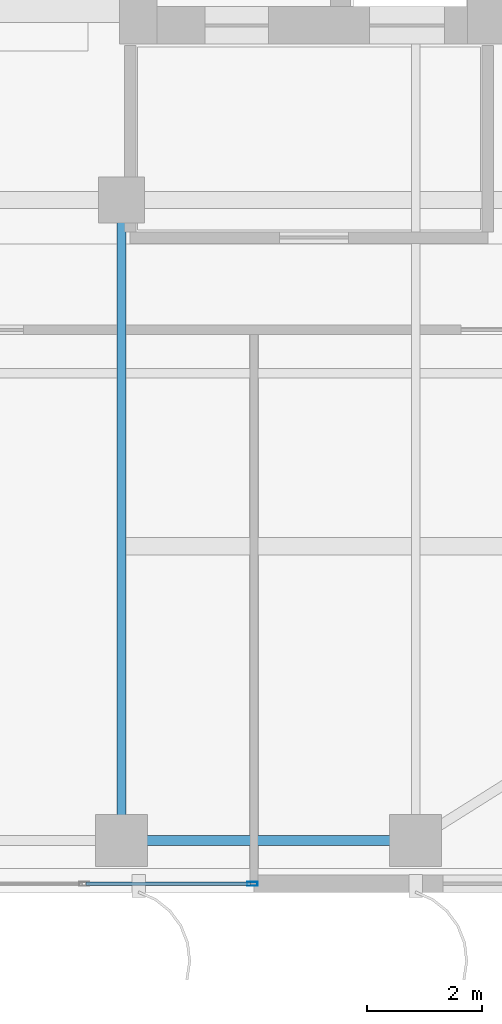
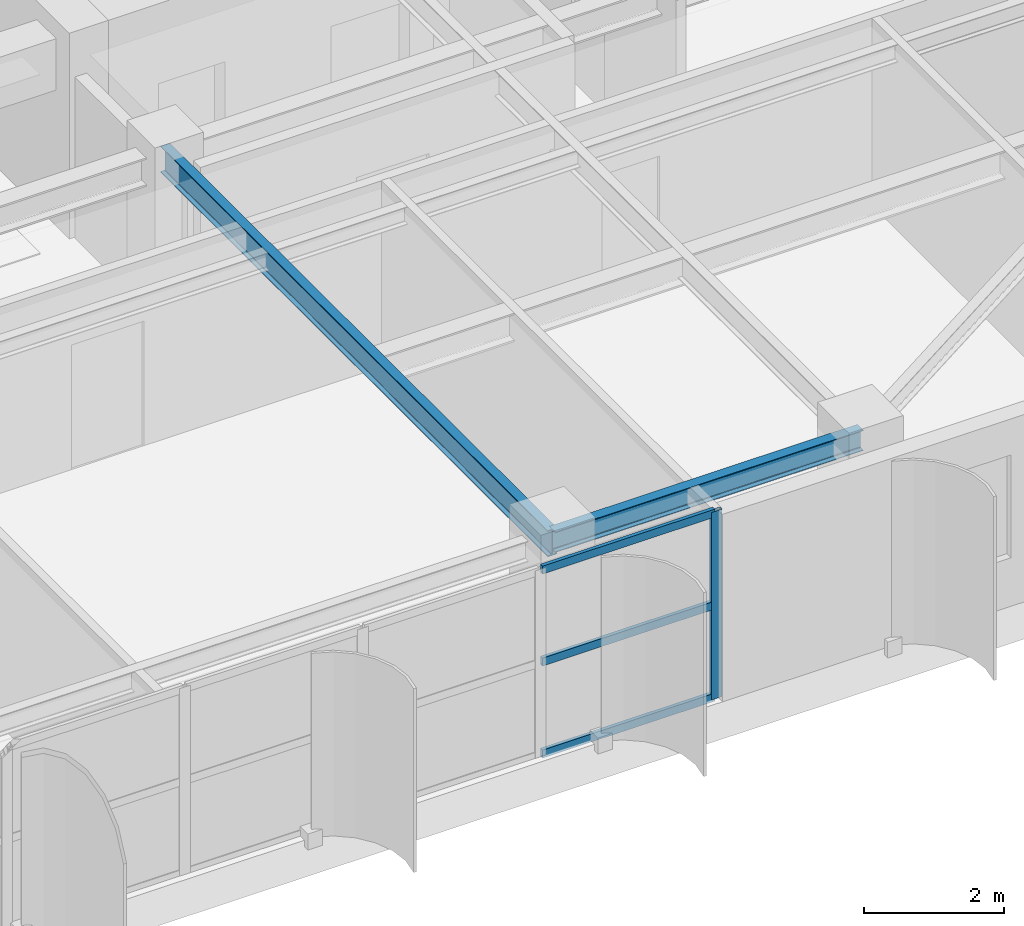
# One storey, part 5 of 25: 4 members, 2 beams, 1 element without a shape of its own.
"""IFC4 building model written with IfcOpenShell, lengths in metres."""

from ifc_helpers import new_model, si_unit, direction, frame, origin, origin_2d, place, context, subcontext, project, spatial, hollow_rectangle, i_section, extrude, source, transform, mapped, material, layer, layer_set, material_profile, profile_set, type_object, element, aggregate, save


model = new_model("IFC4")

# Units and contexts
model_context = context("Model", 3, precision=1e-05, world=origin(), true_north=direction((0.0, 1.0)))
body_context = subcontext(model_context, "Body", "Model", "MODEL_VIEW")
ifc_project = project(units=[si_unit("LENGTHUNIT", "METRE"), si_unit("AREAUNIT", "SQUARE_METRE"), si_unit("VOLUMEUNIT", "CUBIC_METRE"), si_unit("PLANEANGLEUNIT", "RADIAN"), si_unit("MASSUNIT", "GRAM", prefix="KILO")], contexts=[model_context])

# Site, building, storey
site_placement = place(None, origin())
site = spatial("IfcSite", under=ifc_project, at=site_placement, CompositionType="ELEMENT")
building_placement = place(site_placement, origin())
building = spatial("IfcBuilding", under=site, at=building_placement, Name="Khoralis Quay Care Tower", CompositionType="ELEMENT")
storey_placement = place(building_placement, frame((0.0, 0.0, 216.89990234375)))
storey = spatial("IfcBuildingStorey", under=building, at=storey_placement, Name="L57", CompositionType="ELEMENT", Elevation=216.89990234375)

# Beams
ifc_material_1 = material(Name="Steel S355", Category="steel")
ifc_material_profile_1 = material_profile(ifc_material_1, i_section(OverallWidth=0.169921875, OverallDepth=0.360107421875, WebThickness=0.008056640625, FlangeThickness=0.0126953125, FilletRadius=0.01806640625, at=origin_2d()), Name="Steel S355")
ifc_profile_set_1 = profile_set([ifc_material_profile_1], Name="Steel S355")
beam_type_1 = type_object("IfcBeamType", Name="BM-IPE360", PredefinedType="SPANDREL", material=ifc_profile_set_1)
shared_shape_1 = source(origin(), body_context, "Body", "SweptSolid", [
    extrude(i_section(OverallWidth=0.169921875, OverallDepth=0.360107421875, WebThickness=0.008056640625, FlangeThickness=0.0126953125, FilletRadius=0.01806640625, at=origin_2d()), origin(), (0.0, 0.0, 1.0), 5.10009765625),
])
beam_1_placement = place(storey_placement, frame((30.89990234375, 0.89990234375, 3.10009765625), z_axis=(1.0, 0.0, 0.0), x_axis=(0.0, 1.0, 0.0)))
element("IfcBeam", 1, at=beam_1_placement, inside=storey, type_object=beam_type_1, Name="BM-TSP-L57-03", PredefinedType="SPANDREL", context=body_context, shape_type="MappedRepresentation", body=[
    mapped(shared_shape_1, transform((0.0, 0.0, 0.0), scale=1.0)),
])
ifc_material_profile_2 = material_profile(ifc_material_1, i_section(OverallWidth=0.154052734375, OverallDepth=0.458984375, WebThickness=0.009033203125, FlangeThickness=0.015380859375, FilletRadius=0.014892578125, at=origin_2d()), Name="Steel S355")
ifc_profile_set_2 = profile_set([ifc_material_profile_2], Name="Steel S355")
beam_type_2 = type_object("IfcBeamType", Name="BM-W460X68", PredefinedType="BEAM", material=ifc_profile_set_2)
shared_shape_2 = source(origin(), body_context, "Body", "SweptSolid", [
    extrude(i_section(OverallWidth=0.154052734375, OverallDepth=0.458984375, WebThickness=0.009033203125, FlangeThickness=0.015380859375, FilletRadius=0.014892578125, at=origin_2d()), origin(), (0.0, 0.0, 1.0), 11.10009765625),
])
beam_2_placement = place(storey_placement, frame((30.89990234375, 0.89990234375, 3.050537109375), z_axis=(0.0, 1.0, 0.0), x_axis=(-1.0, 0.0, 0.0)))
element("IfcBeam", 2, at=beam_2_placement, inside=storey, type_object=beam_type_2, Name="BM-TGYS-L57-309", PredefinedType="BEAM", context=body_context, shape_type="MappedRepresentation", body=[
    mapped(shared_shape_2, transform((0.0, 0.0, 0.0), scale=1.0)),
])

# Curtain wall, members
ifc_material_2 = material(Name="Pale anodised aluminium", Category="aluminium")
ifc_layer = layer(ifc_material_2, 0.159912109375)
ifc_layer_set = layer_set([ifc_layer], Name="Pale anodised aluminium")
curtain_wall_type = type_object("IfcCurtainWallType", Name="CW-SYS-Z3", PredefinedType="NOTDEFINED", material=ifc_layer_set)
curtain_wall_placement = place(storey_placement, origin())
curtain_wall = element("IfcCurtainWall", 3, at=curtain_wall_placement, inside=storey, type_object=curtain_wall_type, Name="L57 Unitised Curtain Wall CW-L57-P1-E0", PredefinedType="NOTDEFINED")
ifc_material_profile_3 = material_profile(ifc_material_2, hollow_rectangle(XDim=0.06494140625, YDim=0.179931640625, WallThickness=0.00390625, at=origin_2d()), Name="Pale anodised aluminium")
ifc_profile_set_3 = profile_set([ifc_material_profile_3], Name="Pale anodised aluminium")
member_type_1 = type_object("IfcMemberType", Name="CW-MUL-180", PredefinedType="MULLION", material=ifc_profile_set_3)
shared_shape_3 = source(origin(), body_context, "Body", "SweptSolid", [
    extrude(hollow_rectangle(XDim=0.06494140625, YDim=0.179931640625, WallThickness=0.00390625, at=origin_2d()), origin(), (0.0, 0.0, 1.0), 3.280029296875),
])
member_1_placement = place(storey_placement, frame((33.169921875, 0.14990234375, 0.0), z_axis=(0.0, 0.0, 1.0), x_axis=(0.0, 1.0, 0.0)))
member_1 = element("IfcMember", 4, at=member_1_placement, type_object=member_type_1, Name="CW3 mullion 6", PredefinedType="MULLION", context=body_context, shape_type="MappedRepresentation", body=[
    mapped(shared_shape_3, transform((0.0, 0.0, 0.0), scale=1.0)),
])
ifc_material_profile_4 = material_profile(ifc_material_2, hollow_rectangle(XDim=0.06005859375, YDim=0.139892578125, WallThickness=0.00390625, at=origin_2d()), Name="Pale anodised aluminium")
ifc_profile_set_4 = profile_set([ifc_material_profile_4], Name="Pale anodised aluminium")
member_type_2 = type_object("IfcMemberType", Name="CW-TRN-140", PredefinedType="USERDEFINED", material=ifc_profile_set_4)
shared_shape_4 = source(origin(), body_context, "Body", "SweptSolid", [
    extrude(hollow_rectangle(XDim=0.06005859375, YDim=0.139892578125, WallThickness=0.00390625, at=origin_2d()), origin(), (0.0, 0.0, 1.0), 2.85400390625),
])
member_2_placement = place(storey_placement, frame((30.285888671875, 0.14990234375, 0.030029296875), z_axis=(1.0, 0.0, 0.0), x_axis=(0.0, 1.0, 0.0)))
member_2 = element("IfcMember", 5, at=member_2_placement, type_object=member_type_2, Name="CW3 transom 5.1", ObjectType="TRANSOM", PredefinedType="USERDEFINED", context=body_context, shape_type="MappedRepresentation", body=[
    mapped(shared_shape_4, transform((0.0, 0.0, 0.0), scale=1.0)),
])
member_3_placement = place(storey_placement, frame((30.285888671875, 0.14990234375, 1.64013671875), z_axis=(1.0, 0.0, 0.0), x_axis=(0.0, 1.0, 0.0)))
member_3 = element("IfcMember", 6, at=member_3_placement, type_object=member_type_2, Name="CW3 transom 5.2", ObjectType="TRANSOM", PredefinedType="USERDEFINED", context=body_context, shape_type="MappedRepresentation", body=[
    mapped(shared_shape_4, transform((0.0, 0.0, 0.0), scale=1.0)),
])
member_4_placement = place(storey_placement, frame((30.285888671875, 0.14990234375, 3.25), z_axis=(1.0, 0.0, 0.0), x_axis=(0.0, 1.0, 0.0)))
member_4 = element("IfcMember", 7, at=member_4_placement, type_object=member_type_2, Name="CW3 transom 5.3", ObjectType="TRANSOM", PredefinedType="USERDEFINED", context=body_context, shape_type="MappedRepresentation", body=[
    mapped(shared_shape_4, transform((0.0, 0.0, 0.0), scale=1.0)),
])
aggregate(curtain_wall, [member_1, member_2, member_3, member_4])

save(model, "model.ifc")
